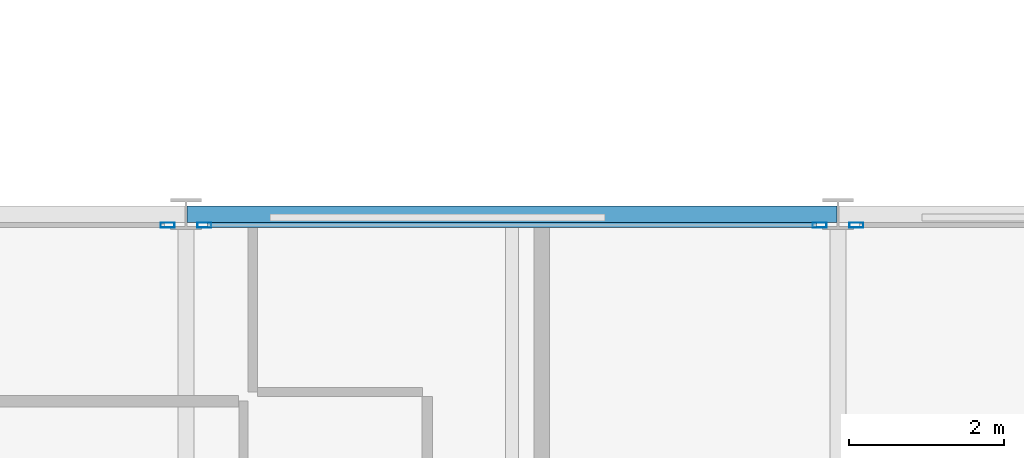
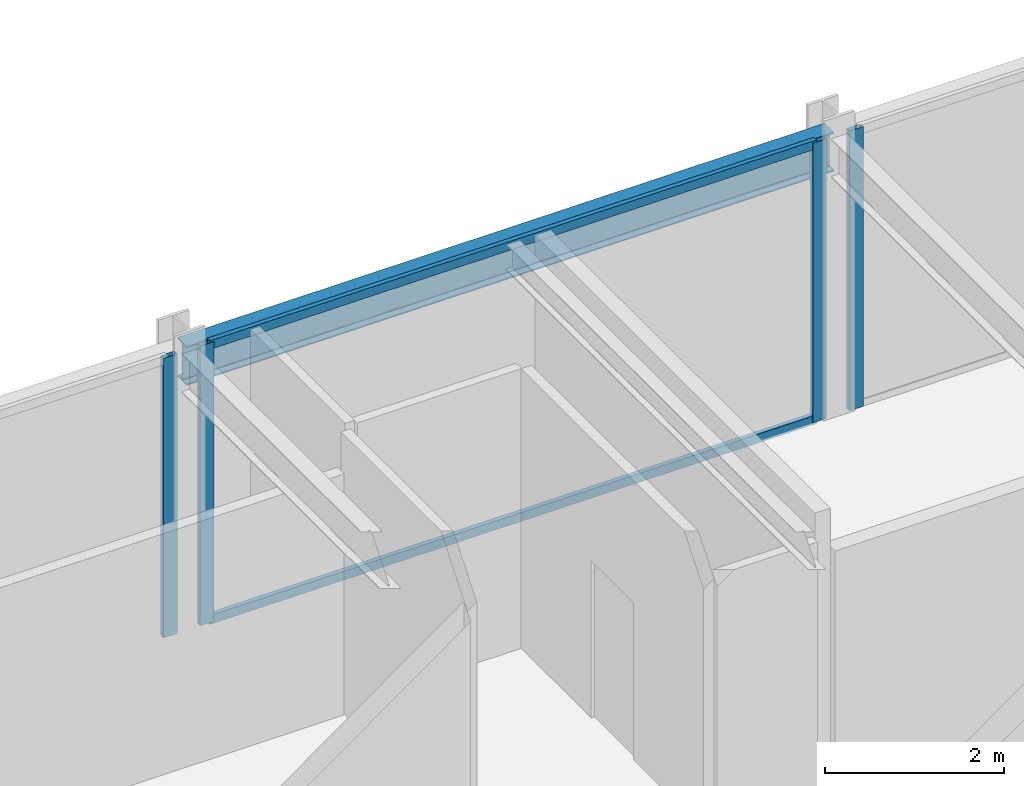
# One storey, part 20 of 38: 6 members, 1 beam, 3 elements without a shape of their own.
"""IFC4 building model written with IfcOpenShell, lengths in metres."""

import ifcopenshell
import ifcopenshell.guid

model = None  # the IFC model being written
_history = None  # IfcOwnerHistory: only IFC2X3 demands one
_inside = {}  # id of a spatial element -> (the spatial element, [elements in it])
_under = {}  # id of a project, library or spatial element -> (it, [spatial elements below it])
_declared = {}  # id of a project -> (the project, [libraries it declares])
_typed = {}  # id of a type object -> (the type object, [elements of that type])
_made_of = {}  # id of a material, layer set ... -> (it, [elements and type objects made of it])


def new_model(schema):
    """Start an empty IFC model of exactly this schema.

    Asked for "IFC4X3", IfcOpenShell would pick the latest addendum, in which some entities
    have other attributes; the version numbers below select the first issue.
    IFC2X3 requires an IfcOwnerHistory on every rooted entity: one is made here for all.
    """
    global model, _history
    if schema == "IFC4X3":
        model = ifcopenshell.file(schema_version=(4, 3, 0, 0))
    else:
        model = ifcopenshell.file(schema=schema)
    _inside.clear()
    _under.clear()
    _declared.clear()
    _typed.clear()
    _made_of.clear()
    _history = None
    if model.schema == "IFC2X3":
        org = make("IfcOrganization", Name="unknown")
        user = make(
            "IfcPersonAndOrganization",
            ThePerson=make("IfcPerson", FamilyName="unknown"),
            TheOrganization=org,
        )
        app = make(
            "IfcApplication",
            ApplicationDeveloper=org,
            Version="unknown",
            ApplicationFullName="unknown",
            ApplicationIdentifier="unknown",
        )
        _history = make(
            "IfcOwnerHistory",
            OwningUser=user,
            OwningApplication=app,
            ChangeAction="ADDED",
            CreationDate=0,
        )
    return model


def make(cls, **values):
    """One entity of the class cls with the attributes given. An attribute that is None is left unset."""
    return model.create_entity(
        cls, **{name: value for name, value in values.items() if value is not None}
    )


def rooted(cls, **values):
    """An entity with a GlobalId (a new one), such as an element, a storey or a relation."""
    return make(cls, GlobalId=ifcopenshell.guid.new(), OwnerHistory=_history, **values)


def si_unit(unit_type, name, prefix=None):
    """IfcSIUnit, for example si_unit("LENGTHUNIT", "METRE", prefix="MILLI")."""
    return make("IfcSIUnit", UnitType=unit_type, Prefix=prefix, Name=name)


def assignment(units):
    """IfcUnitAssignment: the units of a project."""
    return None if units is None else make("IfcUnitAssignment", Units=units)


def point(xyz):
    """IfcCartesianPoint."""
    return None if xyz is None else make("IfcCartesianPoint", Coordinates=xyz)


def direction(xyz):
    """IfcDirection."""
    return None if xyz is None else make("IfcDirection", DirectionRatios=xyz)


def frame(location, z_axis=None, x_axis=None):
    """IfcAxis2Placement3D, a coordinate frame: its origin and axes. An axis left out is left unset."""
    return make(
        "IfcAxis2Placement3D",
        Location=point(location),
        Axis=direction(z_axis),
        RefDirection=direction(x_axis),
    )


def frame_2d(location, x_axis=None):
    """IfcAxis2Placement2D, a coordinate frame in the plane: its origin and x axis."""
    return make(
        "IfcAxis2Placement2D", Location=point(location), RefDirection=direction(x_axis)
    )


def origin():
    """The frame at (0, 0, 0) with its axes left unset."""
    return frame((0.0, 0.0, 0.0))


def origin_2d():
    """The frame at (0, 0) in the plane with its x axis left unset."""
    return frame_2d((0.0, 0.0))


def place(relative_to, where):
    """IfcLocalPlacement: puts the frame where relative to a parent placement (None: the world)."""
    return make(
        "IfcLocalPlacement", PlacementRelTo=relative_to, RelativePlacement=where
    )


def context(
    kind, dimensions, precision=None, world=None, true_north=None, identifier=None
):
    """IfcGeometricRepresentationContext, for example the 3D "Model" context."""
    return make(
        "IfcGeometricRepresentationContext",
        ContextIdentifier=identifier,
        ContextType=kind,
        CoordinateSpaceDimension=dimensions,
        Precision=precision,
        WorldCoordinateSystem=world,
        TrueNorth=true_north,
    )


def subcontext(parent, identifier, kind, view, scale=None):
    """IfcGeometricRepresentationSubContext, for example "Body" below "Model"."""
    return make(
        "IfcGeometricRepresentationSubContext",
        ContextIdentifier=identifier,
        ContextType=kind,
        ParentContext=parent,
        TargetScale=scale,
        TargetView=view,
    )


def project(units=None, contexts=None):
    """IfcProject with its units and contexts."""
    return rooted(
        "IfcProject",
        Name="project",
        RepresentationContexts=contexts,
        UnitsInContext=assignment(units),
    )


def spatial(cls, under=None, at=None, **own):
    """A site, building, storey or space (cls), placed at a placement, below another one or the project."""
    s = rooted(cls, ObjectPlacement=at, **own)
    if under is not None:
        _under.setdefault(under.id(), (under, []))[1].append(s)
    return s


def profile(cls, at=None, kind="AREA", **sizes):
    """A parametric profile (cls). Its sizes go by their IFC names, for example OverallWidth=200.0."""
    return make(cls, ProfileType=kind, Position=at, **sizes)


def hollow_rectangle(**sizes):
    """IfcRectangleHollowProfileDef."""
    return profile("IfcRectangleHollowProfileDef", **sizes)


def i_section(**sizes):
    """IfcIShapeProfileDef."""
    return profile("IfcIShapeProfileDef", **sizes)


def extrude(swept, where, along, depth):
    """IfcExtrudedAreaSolid: the profile swept, set in the frame where, extruded along a direction by depth."""
    return make(
        "IfcExtrudedAreaSolid",
        SweptArea=swept,
        Position=where,
        ExtrudedDirection=direction(along),
        Depth=depth,
    )


def shape(context_of_items, identifier, shape_type, items):
    """IfcShapeRepresentation: the items that make up one representation, for example the "Body"."""
    return make(
        "IfcShapeRepresentation",
        ContextOfItems=context_of_items,
        RepresentationIdentifier=identifier,
        RepresentationType=shape_type,
        Items=items,
    )


def material(Name=None, Category=None):
    """IfcMaterial."""
    return make("IfcMaterial", Name=Name, Category=Category)


def layer(
    of_material, thickness, ventilated=None, Name=None, Category=None, Priority=None
):
    """IfcMaterialLayer: one layer of a wall or slab, of a material (None: an air gap)."""
    return make(
        "IfcMaterialLayer",
        Material=of_material,
        LayerThickness=thickness,
        IsVentilated=ventilated,
        Name=Name,
        Category=Category,
        Priority=Priority,
    )


def layer_set(layers, Name=None):
    """IfcMaterialLayerSet."""
    return make("IfcMaterialLayerSet", MaterialLayers=layers, LayerSetName=Name)


def material_profile(
    of_material, cross_section, Name=None, Category=None, Priority=None
):
    """IfcMaterialProfile: a cross section and its material."""
    return make(
        "IfcMaterialProfile",
        Name=Name,
        Material=of_material,
        Profile=cross_section,
        Priority=Priority,
        Category=Category,
    )


def profile_set(profiles, Name=None, composite=None):
    """IfcMaterialProfileSet."""
    return make(
        "IfcMaterialProfileSet",
        Name=Name,
        MaterialProfiles=profiles,
        CompositeProfile=composite,
    )


def made_of(thing, what):
    """Note that an element or type object is made of a material, layer set ...; save() writes the relation."""
    if what is not None:
        _made_of.setdefault(what.id(), (what, []))[1].append(thing)
    return thing


def type_object(cls, material=None, **own):
    """A type object (cls), such as IfcWallType, which elements share."""
    return made_of(rooted(cls, **own), material)


def element(
    cls,
    number,
    at=None,
    inside=None,
    cuts=None,
    type_object=None,
    material=None,
    context=None,
    identifier="Body",
    shape_type=None,
    held_by="IfcProductDefinitionShape",
    body=None,
    shapes=None,
    **own,
):
    """One element of the class cls, such as IfcWall. Its Tag is "e" and its number.

    at: its placement. inside: the storey or other place that contains it. cuts: it is an
    opening in that element (IfcRelVoidsElement). A single representation is given by context,
    identifier, shape_type and body (its items); several are given by shapes. held_by: the class
    of the entity that holds the representations. save() writes the other relations.
    """
    e = rooted(cls, Tag="e%d" % number, ObjectPlacement=at, **own)
    if body is not None:
        shapes = [shape(context, identifier, shape_type, body)]
    if shapes is not None:
        e.Representation = make(held_by, Representations=shapes)
    if inside is not None:
        _inside.setdefault(inside.id(), (inside, []))[1].append(e)
    if cuts is not None:
        rooted(
            "IfcRelVoidsElement", RelatingBuildingElement=cuts, RelatedOpeningElement=e
        )
    if type_object is not None:
        _typed.setdefault(type_object.id(), (type_object, []))[1].append(e)
    return made_of(e, material)


def aggregate(whole, parts):
    """IfcRelAggregates: a whole, such as a stair, and the parts it consists of."""
    return rooted("IfcRelAggregates", RelatingObject=whole, RelatedObjects=parts)


def save(model, path):
    """Write the relations noted so far, then the file.

    IfcRelAggregates (storeys below a building ...), IfcRelContainedInSpatialStructure (elements
    in a storey), IfcRelDefinesByType, IfcRelAssociatesMaterial and IfcRelDeclares: one each for
    every whole, place, type object, material and project.
    """
    for whole, parts in _under.values():
        aggregate(whole, parts)
    for where, things in _inside.values():
        rooted(
            "IfcRelContainedInSpatialStructure",
            RelatedElements=things,
            RelatingStructure=where,
        )
    for kind, things in _typed.values():
        rooted("IfcRelDefinesByType", RelatedObjects=things, RelatingType=kind)
    for what, things in _made_of.values():
        rooted("IfcRelAssociatesMaterial", RelatedObjects=things, RelatingMaterial=what)
    for by, libraries in _declared.values():
        rooted("IfcRelDeclares", RelatingContext=by, RelatedDefinitions=libraries)
    model.write(path)


model = new_model("IFC4")

# Units and contexts
model_context = context("Model", 3, precision=1e-05, world=origin(), true_north=direction((0.0, 1.0)))
body_context = subcontext(model_context, "Body", "Model", "MODEL_VIEW")
ifc_project = project(units=[si_unit("LENGTHUNIT", "METRE"), si_unit("AREAUNIT", "SQUARE_METRE"), si_unit("VOLUMEUNIT", "CUBIC_METRE"), si_unit("PLANEANGLEUNIT", "RADIAN"), si_unit("MASSUNIT", "GRAM", prefix="KILO")], contexts=[model_context])

# Site, building, storey
site_placement = place(None, origin())
site = spatial("IfcSite", under=ifc_project, at=site_placement, CompositionType="ELEMENT")
building_placement = place(site_placement, origin())
building = spatial("IfcBuilding", under=site, at=building_placement, Name="Nerrivon Quay Data Exchange", CompositionType="ELEMENT")
storey_placement = place(building_placement, frame((0.0, 0.0, 88.5)))
storey = spatial("IfcBuildingStorey", under=building, at=storey_placement, Name="L20", CompositionType="ELEMENT", Elevation=88.5)

# Beam
ifc_material_1 = material(Name="Steel Grade 350", Category="steel")
ifc_material_profile_1 = material_profile(ifc_material_1, i_section(OverallWidth=0.208984375, OverallDepth=0.532958984375, WebThickness=0.01025390625, FlangeThickness=0.015625, FilletRadius=0.013916015625, at=origin_2d()), Name="530UB92.4")
ifc_profile_set_1 = profile_set([ifc_material_profile_1], Name="Steel Grade 350")
beam_type = type_object("IfcBeamType", Name="BM-G3-530UB92", PredefinedType="BEAM", material=ifc_profile_set_1)
beam_placement = place(storey_placement, frame((33.612548828125, 25.199951171875, 3.55859375), z_axis=(1.0, 0.0, 0.0), x_axis=(0.0, 1.0, 0.0)))
element("IfcBeam", 1, at=beam_placement, inside=storey, type_object=beam_type, Name="L20 EW Girder Y=25.2 (33.6..42.0)", PredefinedType="BEAM", context=body_context, shape_type="SweptSolid", body=[
    extrude(i_section(OverallWidth=0.208984375, OverallDepth=0.532958984375, WebThickness=0.01025390625, FlangeThickness=0.015625, FilletRadius=0.013916015625, at=origin_2d()), origin(), (0.0, 0.0, 1.0), 8.375),
])

# Curtain wall, member
ifc_material_2 = material(Name="Anodised aluminium 6063-T6", Category="aluminium")
ifc_layer = layer(ifc_material_2, 0.2099609375)
ifc_layer_set = layer_set([ifc_layer], Name="Anodised aluminium 6063-T6")
curtain_wall_type = type_object("IfcCurtainWallType", Name="CW-SYS-02", PredefinedType="NOTDEFINED", material=ifc_layer_set)
curtain_wall_1_placement = place(storey_placement, origin())
curtain_wall_1 = element("IfcCurtainWall", 2, at=curtain_wall_1_placement, inside=storey, type_object=curtain_wall_type, Name="L20 Unitised Curtain Wall 32", PredefinedType="NOTDEFINED")
ifc_material_profile_2 = material_profile(ifc_material_2, hollow_rectangle(XDim=0.06494140625, YDim=0.179931640625, WallThickness=0.00341796875, at=origin_2d()), Name="ALU-MULL-180x65")
ifc_profile_set_2 = profile_set([ifc_material_profile_2], Name="Anodised aluminium 6063-T6")
member_type_1 = type_object("IfcMemberType", Name="CWM-180x65", PredefinedType="MULLION", material=ifc_profile_set_2)
member_1_placement = place(storey_placement, frame((33.362548828125, 25.06005859375, 0.0), z_axis=(0.0, 0.0, 1.0), x_axis=(0.0, 1.0, 0.0)))
member_1 = element("IfcMember", 3, at=member_1_placement, type_object=member_type_1, Name="CW02 mullion 2", PredefinedType="MULLION", context=body_context, shape_type="SweptSolid", body=[
    extrude(hollow_rectangle(XDim=0.06494140625, YDim=0.179931640625, WallThickness=0.00341796875, at=origin_2d()), origin(), (0.0, 0.0, 1.0), 3.824951171875),
])
aggregate(curtain_wall_1, [member_1])

# Curtain wall, members
curtain_wall_2_placement = place(storey_placement, origin())
curtain_wall_2 = element("IfcCurtainWall", 4, at=curtain_wall_2_placement, inside=storey, type_object=curtain_wall_type, Name="L20 Unitised Curtain Wall 33", PredefinedType="NOTDEFINED")
member_2_placement = place(storey_placement, frame((33.83740234375, 25.06005859375, 0.0), z_axis=(0.0, 0.0, 1.0), x_axis=(0.0, 1.0, 0.0)))
member_2 = element("IfcMember", 5, at=member_2_placement, type_object=member_type_1, Name="CW02 mullion 1", PredefinedType="MULLION", context=body_context, shape_type="SweptSolid", body=[
    extrude(hollow_rectangle(XDim=0.06494140625, YDim=0.179931640625, WallThickness=0.00341796875, at=origin_2d()), origin(), (0.0, 0.0, 1.0), 3.824951171875),
])
member_3_placement = place(storey_placement, frame((41.762451171875, 25.06005859375, 0.0), z_axis=(0.0, 0.0, 1.0), x_axis=(0.0, 1.0, 0.0)))
member_3 = element("IfcMember", 6, at=member_3_placement, type_object=member_type_1, Name="CW02 mullion 2", PredefinedType="MULLION", context=body_context, shape_type="SweptSolid", body=[
    extrude(hollow_rectangle(XDim=0.06494140625, YDim=0.179931640625, WallThickness=0.00341796875, at=origin_2d()), origin(), (0.0, 0.0, 1.0), 3.824951171875),
])

# Curtain wall, member
curtain_wall_3_placement = place(storey_placement, origin())
curtain_wall_3 = element("IfcCurtainWall", 7, at=curtain_wall_3_placement, inside=storey, type_object=curtain_wall_type, Name="L20 Unitised Curtain Wall 34", PredefinedType="NOTDEFINED")
member_4_placement = place(storey_placement, frame((42.237548828125, 25.06005859375, 0.0), z_axis=(0.0, 0.0, 1.0), x_axis=(0.0, 1.0, 0.0)))
member_4 = element("IfcMember", 8, at=member_4_placement, type_object=member_type_1, Name="CW02 mullion 1", PredefinedType="MULLION", context=body_context, shape_type="SweptSolid", body=[
    extrude(hollow_rectangle(XDim=0.06494140625, YDim=0.179931640625, WallThickness=0.00341796875, at=origin_2d()), origin(), (0.0, 0.0, 1.0), 3.824951171875),
])
aggregate(curtain_wall_3, [member_4])

# Member
ifc_material_profile_3 = material_profile(ifc_material_2, hollow_rectangle(XDim=0.06005859375, YDim=0.1201171875, WallThickness=0.003173828125, at=origin_2d()), Name="ALU-TRAN-120x60")
ifc_profile_set_3 = profile_set([ifc_material_profile_3], Name="Anodised aluminium 6063-T6")
member_type_2 = type_object("IfcMemberType", Name="CWT-120x60", PredefinedType="USERDEFINED", material=ifc_profile_set_3)
member_5_placement = place(storey_placement, frame((33.875, 25.06005859375, 0.032470703125), z_axis=(1.0, 0.0, 0.0), x_axis=(0.0, 1.0, 0.0)))
member_5 = element("IfcMember", 9, at=member_5_placement, type_object=member_type_2, Name="CW02 transom 1.1", ObjectType="TRANSOM", PredefinedType="USERDEFINED", context=body_context, shape_type="SweptSolid", body=[
    extrude(hollow_rectangle(XDim=0.06005859375, YDim=0.1201171875, WallThickness=0.003173828125, at=origin_2d()), origin(), (0.0, 0.0, 1.0), 7.85009765625),
])

member_6_placement = place(storey_placement, frame((33.875, 25.06005859375, 3.79248046875), z_axis=(1.0, 0.0, 0.0), x_axis=(0.0, 1.0, 0.0)))
member_6 = element("IfcMember", 10, at=member_6_placement, type_object=member_type_2, Name="CW02 transom 1.2", ObjectType="TRANSOM", PredefinedType="USERDEFINED", context=body_context, shape_type="SweptSolid", body=[
    extrude(hollow_rectangle(XDim=0.06005859375, YDim=0.1201171875, WallThickness=0.003173828125, at=origin_2d()), origin(), (0.0, 0.0, 1.0), 7.85009765625),
])

aggregate(curtain_wall_2, [member_2, member_3, member_5, member_6])

save(model, "model.ifc")
